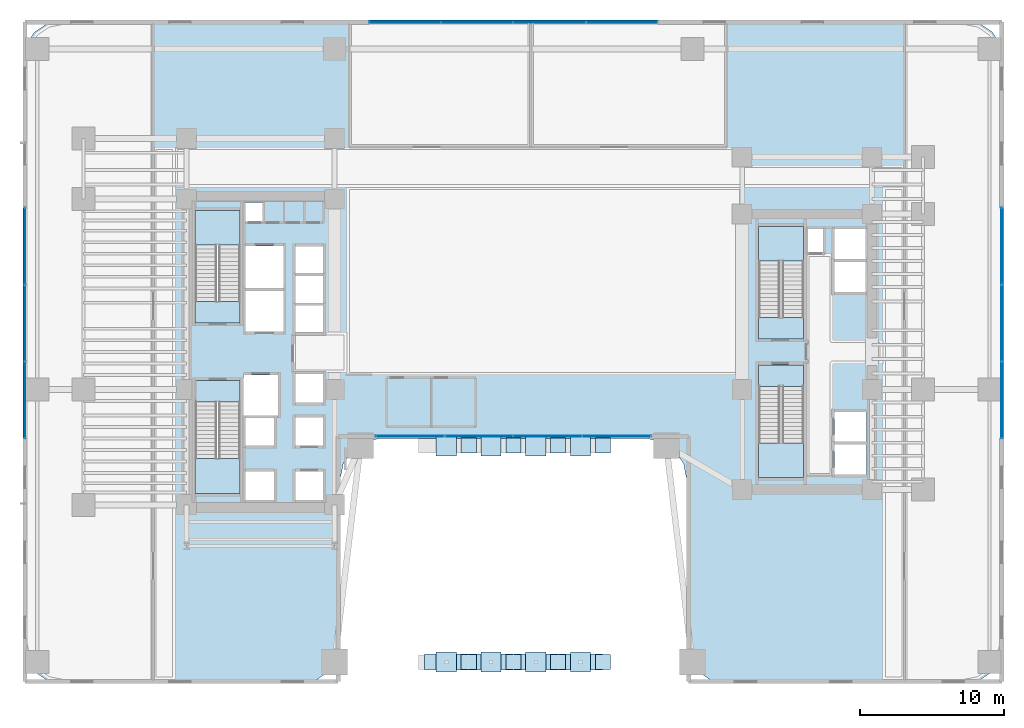
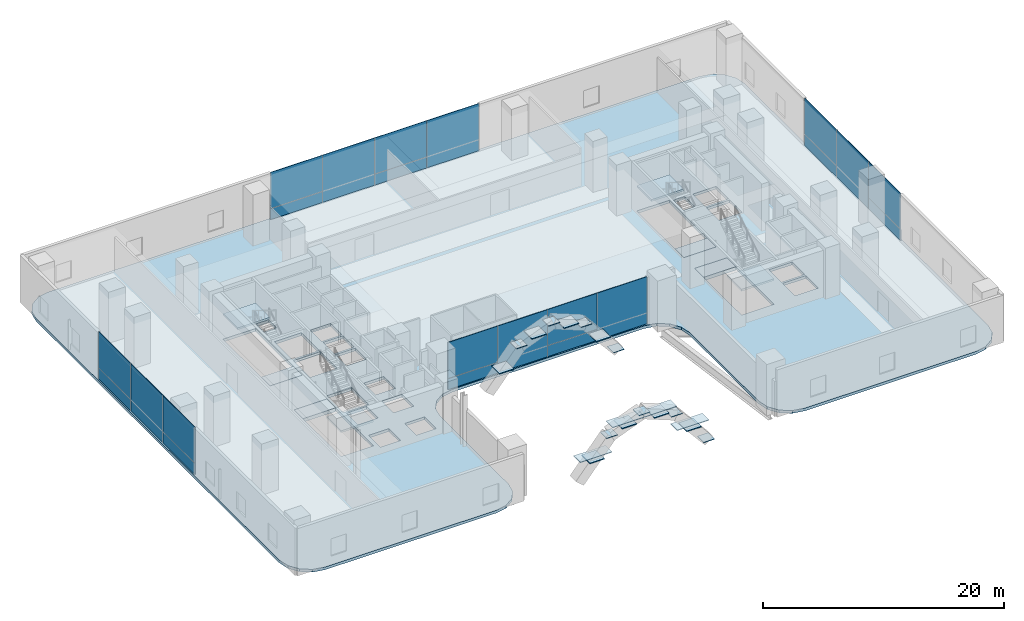
# One storey, part 25 of 39: 42 plates, 9 slabs, 8 elements without a shape of their own.
"""IFC4 building model written with IfcOpenShell, lengths in metres."""

from ifc_helpers import new_model, si_unit, direction, frame, origin, origin_2d, place, context, subcontext, project, spatial, polyline, rectangle, outline, extrude, source, transform, mapped, material, layer, layer_set, type_object, element, aggregate, save


model = new_model("IFC4")

# Units and contexts
model_context = context("Model", 3, precision=1e-05, world=origin(), true_north=direction((0.0, 1.0)))
body_context = subcontext(model_context, "Body", "Model", "MODEL_VIEW")
ifc_project = project(units=[si_unit("LENGTHUNIT", "METRE"), si_unit("AREAUNIT", "SQUARE_METRE"), si_unit("VOLUMEUNIT", "CUBIC_METRE"), si_unit("PLANEANGLEUNIT", "RADIAN"), si_unit("MASSUNIT", "GRAM", prefix="KILO")], contexts=[model_context])

# Site, building, storey
site_placement = place(None, origin())
site = spatial("IfcSite", under=ifc_project, at=site_placement, CompositionType="ELEMENT")
building_placement = place(site_placement, origin())
building = spatial("IfcBuilding", under=site, at=building_placement, Name="Valdorenza Pilgrim Sanctuary Tower", CompositionType="ELEMENT")
storey_placement = place(building_placement, frame((0.0, 0.0, 15.60009765625)))
storey = spatial("IfcBuildingStorey", under=building, at=storey_placement, Name="L03", CompositionType="ELEMENT", Elevation=15.60009765625)

# Slab
ifc_material_1 = material(Name="Concrete C40/50", Category="concrete")
ifc_layer_1 = layer(ifc_material_1, 0.280029296875, Name="Concrete C40/50")
ifc_layer_set_1 = layer_set([ifc_layer_1], Name="Concrete C40/50")
slab_type_1 = type_object("IfcSlabType", Name="SLAB-POD-280", PredefinedType="FLOOR", material=ifc_layer_set_1)
slab_1_placement = place(storey_placement, frame((0.0, 0.0, -0.280029296875)))
element("IfcSlab", 1, at=slab_1_placement, inside=storey, type_object=slab_type_1, Name="L03 Structural Floor Slab 1", PredefinedType="FLOOR", context=body_context, shape_type="SweptSolid", body=[
    extrude(outline(polyline([(-34.0, 20.199951171875), (-33.786865234375, 21.271484375), (-33.179931640625, 22.179931640625), (-32.271484375, 22.786865234375), (-31.199951171875, 23.0), (31.199951171875, 23.0), (32.271484375, 22.786865234375), (33.179931640625, 22.179931640625), (33.786865234375, 21.271484375), (34.0, 20.199951171875), (34.0, -20.199951171875), (33.786865234375, -21.271484375), (33.179931640625, -22.179931640625), (32.271484375, -22.786865234375), (31.199951171875, -23.0), (14.800048828125, -23.0), (13.728515625, -22.786865234375), (12.820068359375, -22.179931640625), (12.213134765625, -21.271484375), (12.0, -20.199951171875), (12.0, -8.800048828125), (11.786865234375, -7.728515625), (11.179931640625, -6.820068359375), (10.271484375, -6.213134765625), (9.199951171875, -6.0), (-9.199951171875, -6.0), (-10.271484375, -6.213134765625), (-11.179931640625, -6.820068359375), (-11.786865234375, -7.728515625), (-12.0, -8.800048828125), (-12.0, -20.199951171875), (-12.213134765625, -21.271484375), (-12.820068359375, -22.179931640625), (-13.728515625, -22.786865234375), (-14.800048828125, -23.0), (-31.199951171875, -23.0), (-32.271484375, -22.786865234375), (-33.179931640625, -22.179931640625), (-33.786865234375, -21.271484375), (-34.0, -20.199951171875), (-34.0, 20.199951171875)]), holes=[polyline([(-16.60009765625, -10.25), (-16.60009765625, -8.300048828125), (-18.550048828125, -8.300048828125), (-18.550048828125, -10.25), (-16.60009765625, -10.25)]), polyline([(-22.050048828125, -9.800048828125), (-18.93994140625, -9.800048828125), (-18.93994140625, -3.485107421875), (-18.93994140625, -2.0), (-22.050048828125, -2.0), (-22.050048828125, -3.485107421875), (-22.050048828125, -9.800048828125)]), polyline([(-18.550048828125, -6.5), (-16.60009765625, -6.5), (-16.60009765625, -4.60009765625), (-18.550048828125, -4.60009765625), (-18.550048828125, -6.5)]), polyline([(-13.179931640625, -6.5), (-13.179931640625, -4.550048828125), (-15.10009765625, -4.550048828125), (-15.10009765625, -6.5), (-13.179931640625, -6.5)]), polyline([(-18.719970703125, -4.39990234375), (-16.300048828125, -4.39990234375), (-16.300048828125, -1.60009765625), (-18.719970703125, -1.60009765625), (-18.719970703125, -4.39990234375)]), polyline([(-13.179931640625, -3.5), (-13.179931640625, -1.550048828125), (-15.10009765625, -1.550048828125), (-15.10009765625, -3.5), (-13.179931640625, -3.5)]), polyline([(-22.050048828125, 2.0), (-18.93994140625, 2.0), (-18.93994140625, 3.485107421875), (-18.93994140625, 9.800048828125), (-22.050048828125, 9.800048828125), (-22.050048828125, 3.485107421875), (-22.050048828125, 2.0)]), polyline([(-18.550048828125, 1.39990234375), (-15.949951171875, 1.39990234375), (-15.949951171875, 4.22509765625), (-18.550048828125, 4.22509765625), (-18.550048828125, 1.39990234375)]), polyline([(-15.949951171875, 4.425048828125), (-15.949951171875, 7.35009765625), (-18.550048828125, 7.35009765625), (-18.550048828125, 4.425048828125), (-15.949951171875, 4.425048828125)]), polyline([(-15.10009765625, 5.449951171875), (-13.179931640625, 5.449951171875), (-13.179931640625, 7.300048828125), (-15.10009765625, 7.300048828125), (-15.10009765625, 5.449951171875)]), polyline([(-17.360107421875, 9.030029296875), (-17.360107421875, 10.35009765625), (-18.570068359375, 10.35009765625), (-18.570068359375, 9.030029296875), (-17.360107421875, 9.030029296875)]), polyline([(-15.10009765625, -10.25), (-13.179931640625, -10.25), (-13.179931640625, -8.300048828125), (-15.10009765625, -8.300048828125), (-15.10009765625, -10.25)]), polyline([(22.25, -8.5), (24.47998046875, -8.5), (24.47998046875, -6.425048828125), (22.25, -6.425048828125), (22.25, -8.5)]), polyline([(17.0, -2.385009765625), (17.0, -8.699951171875), (20.110107421875, -8.699951171875), (20.110107421875, -2.385009765625), (20.110107421875, -0.89990234375), (17.0, -0.89990234375), (17.0, -2.385009765625)]), polyline([(22.25, -6.22509765625), (24.47998046875, -6.22509765625), (24.47998046875, -4.14990234375), (22.25, -4.14990234375), (22.25, -6.22509765625)]), polyline([(17.0, 0.89990234375), (20.110107421875, 0.89990234375), (20.110107421875, 2.385009765625), (20.110107421875, 8.699951171875), (17.0, 8.699951171875), (17.0, 2.385009765625), (17.0, 0.89990234375)]), polyline([(-15.10009765625, 1.35009765625), (-13.179931640625, 1.35009765625), (-13.179931640625, 3.199951171875), (-15.10009765625, 3.199951171875), (-15.10009765625, 1.35009765625)]), polyline([(-15.10009765625, 3.39990234375), (-13.179931640625, 3.39990234375), (-13.179931640625, 5.25), (-15.10009765625, 5.25), (-15.10009765625, 3.39990234375)]), polyline([(22.25, 4.14990234375), (24.47998046875, 4.14990234375), (24.47998046875, 6.22509765625), (22.25, 6.22509765625), (22.25, 4.14990234375)]), polyline([(22.25, 6.425048828125), (24.47998046875, 6.425048828125), (24.47998046875, 8.5), (22.25, 8.5), (22.25, 6.425048828125)]), polyline([(20.409912109375, 6.860107421875), (21.489990234375, 6.860107421875), (21.489990234375, 8.52001953125), (20.409912109375, 8.52001953125), (20.409912109375, 6.860107421875)])]), origin(), (0.0, 0.0, 1.0), 0.280029296875),
])

# Stair, slab
stair_type = type_object("IfcStairType", Name="STR-DOG-CORE", PredefinedType="HALF_TURN_STAIR", material=ifc_material_1)
stair_1_placement = place(storey_placement, origin())
stair_1 = element("IfcStair", 2, at=stair_1_placement, inside=storey, type_object=stair_type, Name="L03 ST-A1", PredefinedType="HALF_TURN_STAIR")
ifc_layer_2 = layer(ifc_material_1, 0.199951171875, Name="Concrete C40/50")
ifc_layer_set_2 = layer_set([ifc_layer_2], Name="Concrete C40/50")
slab_type_2 = type_object("IfcSlabType", Name="SLAB-STL-200", PredefinedType="LANDING", material=ifc_layer_set_2)
slab_2_placement = place(storey_placement, frame((0.0, 0.0, 2.39990234375)))
slab_2 = element("IfcSlab", 3, at=slab_2_placement, type_object=slab_type_2, Name="ST-A1 landing 1", PredefinedType="LANDING", context=body_context, shape_type="SweptSolid", body=[
    extrude(outline(polyline([(-18.93994140625, 7.39990234375), (-18.93994140625, 9.800048828125), (-22.050048828125, 9.800048828125), (-22.050048828125, 7.39990234375), (-18.93994140625, 7.39990234375)])), origin(), (0.0, 0.0, 1.0), 0.199951171875),
])
aggregate(stair_1, [slab_2])

stair_2_placement = place(storey_placement, origin())
stair_2 = element("IfcStair", 4, at=stair_2_placement, inside=storey, type_object=stair_type, Name="L03 ST-A2", PredefinedType="HALF_TURN_STAIR")
slab_3_placement = place(storey_placement, frame((0.0, 0.0, 2.39990234375)))
slab_3 = element("IfcSlab", 5, at=slab_3_placement, type_object=slab_type_2, Name="ST-A2 landing 1", PredefinedType="LANDING", context=body_context, shape_type="SweptSolid", body=[
    extrude(outline(polyline([(-22.050048828125, -7.39990234375), (-22.050048828125, -9.800048828125), (-18.93994140625, -9.800048828125), (-18.93994140625, -7.39990234375), (-22.050048828125, -7.39990234375)])), origin(), (0.0, 0.0, 1.0), 0.199951171875),
])
aggregate(stair_2, [slab_3])

stair_3_placement = place(storey_placement, origin())
stair_3 = element("IfcStair", 6, at=stair_3_placement, inside=storey, type_object=stair_type, Name="L03 ST-B1", PredefinedType="HALF_TURN_STAIR")
slab_4_placement = place(storey_placement, frame((0.0, 0.0, 2.39990234375)))
slab_4 = element("IfcSlab", 7, at=slab_4_placement, type_object=slab_type_2, Name="ST-B1 landing 1", PredefinedType="LANDING", context=body_context, shape_type="SweptSolid", body=[
    extrude(outline(polyline([(20.110107421875, 6.300048828125), (20.110107421875, 8.699951171875), (17.0, 8.699951171875), (17.0, 6.300048828125), (20.110107421875, 6.300048828125)])), origin(), (0.0, 0.0, 1.0), 0.199951171875),
])
aggregate(stair_3, [slab_4])

stair_4_placement = place(storey_placement, origin())
stair_4 = element("IfcStair", 8, at=stair_4_placement, inside=storey, type_object=stair_type, Name="L03 ST-B2", PredefinedType="HALF_TURN_STAIR")
slab_5_placement = place(storey_placement, frame((0.0, 0.0, 2.39990234375)))
slab_5 = element("IfcSlab", 9, at=slab_5_placement, type_object=slab_type_2, Name="ST-B2 landing 1", PredefinedType="LANDING", context=body_context, shape_type="SweptSolid", body=[
    extrude(outline(polyline([(17.0, -6.300048828125), (17.0, -8.699951171875), (20.110107421875, -8.699951171875), (20.110107421875, -6.300048828125), (17.0, -6.300048828125)])), origin(), (0.0, 0.0, 1.0), 0.199951171875),
])
aggregate(stair_4, [slab_5])

# Slabs
ifc_material_2 = material(Name="Concrete C50/60", Category="concrete")
ifc_layer_3 = layer(ifc_material_2, 0.39990234375, Name="Concrete C50/60")
ifc_layer_set_3 = layer_set([ifc_layer_3], Name="Concrete C50/60")
slab_type_3 = type_object("IfcSlabType", Name="SLAB-TRF-400", PredefinedType="FLOOR", material=ifc_layer_set_3)
slab_6_placement = place(storey_placement, frame((0.0, 0.0, -0.360107421875)))
element("IfcSlab", 10, at=slab_6_placement, inside=storey, type_object=slab_type_3, Name="L03 ST-A1 Structural Stair Landing Bearing Slab", PredefinedType="FLOOR", context=body_context, shape_type="SweptSolid", body=[
    extrude(outline(polyline([(-22.050048828125, 2.0), (-18.93994140625, 2.0), (-18.93994140625, 3.485107421875), (-22.050048828125, 3.485107421875), (-22.050048828125, 2.0)])), origin(), (0.0, 0.0, 1.0), 0.360107421875),
])
slab_7_placement = place(storey_placement, frame((0.0, 0.0, -0.360107421875)))
element("IfcSlab", 11, at=slab_7_placement, inside=storey, type_object=slab_type_3, Name="L03 ST-A2 Structural Stair Landing Bearing Slab", PredefinedType="FLOOR", context=body_context, shape_type="SweptSolid", body=[
    extrude(outline(polyline([(-22.050048828125, -3.485107421875), (-18.93994140625, -3.485107421875), (-18.93994140625, -2.0), (-22.050048828125, -2.0), (-22.050048828125, -3.485107421875)])), origin(), (0.0, 0.0, 1.0), 0.360107421875),
])
slab_8_placement = place(storey_placement, frame((0.0, 0.0, -0.360107421875)))
element("IfcSlab", 12, at=slab_8_placement, inside=storey, type_object=slab_type_3, Name="L03 ST-B1 Structural Stair Landing Bearing Slab", PredefinedType="FLOOR", context=body_context, shape_type="SweptSolid", body=[
    extrude(outline(polyline([(17.0, 0.89990234375), (20.110107421875, 0.89990234375), (20.110107421875, 2.385009765625), (17.0, 2.385009765625), (17.0, 0.89990234375)])), origin(), (0.0, 0.0, 1.0), 0.360107421875),
])
slab_9_placement = place(storey_placement, frame((0.0, 0.0, -0.360107421875)))
element("IfcSlab", 13, at=slab_9_placement, inside=storey, type_object=slab_type_3, Name="L03 ST-B2 Structural Stair Landing Bearing Slab", PredefinedType="FLOOR", context=body_context, shape_type="SweptSolid", body=[
    extrude(outline(polyline([(17.0, -2.385009765625), (20.110107421875, -2.385009765625), (20.110107421875, -0.89990234375), (17.0, -0.89990234375), (17.0, -2.385009765625)])), origin(), (0.0, 0.0, 1.0), 0.360107421875),
])

# Plates
ifc_material_3 = material(Name="Steel ASTM A572 Grade 42", Category="steel")
ifc_layer_4 = layer(ifc_material_3, 0.06005859375, Name="Steel ASTM A572 Grade 42")
ifc_layer_set_4 = layer_set([ifc_layer_4], Name="Steel ASTM A572 Grade 42")
plate_type_1 = type_object("IfcPlateType", Name="PLT-CAP-60", PredefinedType="SHEET", material=ifc_layer_set_4)
shared_shape_1 = source(origin(), body_context, "Body", "SweptSolid", [
    extrude(rectangle(XDim=1.050048828125, YDim=1.050048828125, at=origin_2d()), origin(), (0.0, 0.0, 1.0), 0.06005859375),
])
for number, where, z_axis, x_axis, name in (
    (14, (-3.10009765625, -21.5, 2.744873046875), (0.0, 0.0, 1.0), (1.0, 0.0, 0.0), "Parabolic Portal Arch Rib SOUTH Seg 3 End Connection Plate 2"),
    (15, (0.0, -21.5, 3.969970703125), (0.0, 0.0, 1.0), (1.0, 0.0, 0.0), "Parabolic Portal Arch Rib SOUTH Seg 4 End Connection Plate 2"),
    (16, (3.10009765625, -21.5, 2.744873046875), (0.0, 0.0, 1.0), (1.0, 0.0, 0.0), "Parabolic Portal Arch Rib SOUTH Seg 5 End Connection Plate 2"),
    (17, (6.199951171875, -21.5, -0.93017578125), (0.0, 0.0, 1.0), (1.0, 0.0, 0.0), "Parabolic Portal Arch Rib SOUTH Seg 6 End Connection Plate 2"),
    (18, (-3.10009765625, -6.5, 2.744873046875), (0.0, 0.0, 1.0), (1.0, 0.0, 0.0), "Parabolic Portal Arch Rib INNER Seg 3 End Connection Plate 2"),
    (19, (0.0, -6.5, 3.969970703125), (0.0, 0.0, 1.0), (1.0, 0.0, 0.0), "Parabolic Portal Arch Rib INNER Seg 4 End Connection Plate 2"),
    (20, (3.10009765625, -6.5, 2.744873046875), (0.0, 0.0, 1.0), (1.0, 0.0, 0.0), "Parabolic Portal Arch Rib INNER Seg 5 End Connection Plate 2"),
    (21, (6.199951171875, -6.5, -0.93017578125), (0.0, 0.0, 1.0), (1.0, 0.0, 0.0), "Parabolic Portal Arch Rib INNER Seg 6 End Connection Plate 2"),
):
    element("IfcPlate", number, at=place(storey_placement, frame(where, z_axis=z_axis, x_axis=x_axis)), inside=storey, type_object=plate_type_1, Name=name, PredefinedType="SHEET", context=body_context, shape_type="MappedRepresentation", body=[
        mapped(shared_shape_1, transform((0.0, 0.0, 0.0), x_axis=(1.0, 0.0, 0.0), y_axis=(0.0, 1.0, 0.0), z_axis=(0.0, 0.0, 1.0), scale=1.0)),
    ])
ifc_layer_5 = layer(ifc_material_3, 0.090087890625, Name="Steel ASTM A572 Grade 42")
ifc_layer_set_5 = layer_set([ifc_layer_5], Name="Steel ASTM A572 Grade 42")
plate_type_2 = type_object("IfcPlateType", Name="PLT-GUS-90", PredefinedType="USERDEFINED", material=ifc_layer_set_5)
shared_shape_2 = source(origin(), body_context, "Body", "SweptSolid", [
    extrude(rectangle(XDim=1.39990234375, YDim=1.39990234375, at=origin_2d()), origin(), (0.0, 0.0, 1.0), 0.090087890625),
])
for number, where, z_axis, x_axis, name in (
    (22, (-4.64990234375, -21.5, 0.892578125), (0.0, 0.0, 1.0), (1.0, 0.0, 0.0), "Truss Node Gusset Assembly AN-01 (MB-ARCH-SOUTH-3)"),
    (23, (-1.550048828125, -21.5, 3.34228515625), (0.0, 0.0, 1.0), (1.0, 0.0, 0.0), "Truss Node Gusset Assembly AN-01 (MB-ARCH-SOUTH-4)"),
    (24, (1.550048828125, -21.5, 3.34228515625), (0.0, 0.0, 1.0), (1.0, 0.0, 0.0), "Truss Node Gusset Assembly AN-01 (MB-ARCH-SOUTH-5)"),
    (25, (4.64990234375, -21.5, 0.892578125), (0.0, 0.0, 1.0), (1.0, 0.0, 0.0), "Truss Node Gusset Assembly AN-01 (MB-ARCH-SOUTH-6)"),
    (26, (-4.64990234375, -6.5, 0.892578125), (0.0, 0.0, 1.0), (1.0, 0.0, 0.0), "Truss Node Gusset Assembly AN-01 (MB-ARCH-INNER-3)"),
    (27, (-1.550048828125, -6.5, 3.34228515625), (0.0, 0.0, 1.0), (1.0, 0.0, 0.0), "Truss Node Gusset Assembly AN-01 (MB-ARCH-INNER-4)"),
    (28, (1.550048828125, -6.5, 3.34228515625), (0.0, 0.0, 1.0), (1.0, 0.0, 0.0), "Truss Node Gusset Assembly AN-01 (MB-ARCH-INNER-5)"),
    (29, (4.64990234375, -6.5, 0.892578125), (0.0, 0.0, 1.0), (1.0, 0.0, 0.0), "Truss Node Gusset Assembly AN-01 (MB-ARCH-INNER-6)"),
):
    element("IfcPlate", number, at=place(storey_placement, frame(where, z_axis=z_axis, x_axis=x_axis)), inside=storey, type_object=plate_type_2, Name=name, ObjectType="GUSSET PLATE", PredefinedType="USERDEFINED", context=body_context, shape_type="MappedRepresentation", body=[
        mapped(shared_shape_2, transform((0.0, 0.0, 0.0), x_axis=(1.0, 0.0, 0.0), y_axis=(0.0, 1.0, 0.0), z_axis=(0.0, 0.0, 1.0), scale=1.0)),
    ])

# Curtain wall, plates
ifc_material_4 = material(Name="Curtain-wall IGU glazing", Category="glass")
curtain_wall_type = type_object("IfcCurtainWallType", Name="CW-SYS-01", PredefinedType="NOTDEFINED", material=ifc_material_4)
curtain_wall_1_placement = place(storey_placement, origin())
curtain_wall_1 = element("IfcCurtainWall", 30, at=curtain_wall_1_placement, inside=storey, type_object=curtain_wall_type, Name="L03 Curtain Wall CW-POD-L03-WW", PredefinedType="NOTDEFINED")
ifc_material_5 = material(Name="Honed travertine limestone", Category="masonry")
ifc_layer_6 = layer(ifc_material_5, 0.050048828125, Name="Honed travertine limestone")
ifc_layer_set_6 = layer_set([ifc_layer_6], Name="Honed travertine limestone")
plate_type_3 = type_object("IfcPlateType", Name="CW-SPN-TRV", PredefinedType="USERDEFINED", material=ifc_layer_set_6)
shared_shape_3 = source(origin(), body_context, "Body", "SweptSolid", [
    extrude(rectangle(XDim=5.313232421875, YDim=0.06005859375, at=origin_2d()), origin(), (0.0, 0.0, 1.0), 1.10009765625),
])
plate_1_placement = place(storey_placement, frame((-33.85009765625, -3.333251953125, 0.009765625), z_axis=(0.0, 0.0, 1.0), x_axis=(0.0, 1.0, 0.0)))
plate_1 = element("IfcPlate", 31, at=plate_1_placement, type_object=plate_type_3, Name="CW-POD-L03-WW Travertine Spandrel 1", ObjectType="SPANDREL", PredefinedType="USERDEFINED", context=body_context, shape_type="MappedRepresentation", body=[
    mapped(shared_shape_3, transform((0.0, 0.0, 0.0), x_axis=(1.0, 0.0, 0.0), y_axis=(0.0, 1.0, 0.0), z_axis=(0.0, 0.0, 1.0), scale=1.0)),
])
plate_2_placement = place(storey_placement, frame((-33.85009765625, 7.333251953125, 0.009765625), z_axis=(0.0, 0.0, 1.0), x_axis=(0.0, 1.0, 0.0)))
plate_2 = element("IfcPlate", 32, at=plate_2_placement, type_object=plate_type_3, Name="CW-POD-L03-WW Travertine Spandrel 3", ObjectType="SPANDREL", PredefinedType="USERDEFINED", context=body_context, shape_type="MappedRepresentation", body=[
    mapped(shared_shape_3, transform((0.0, 0.0, 0.0), x_axis=(1.0, 0.0, 0.0), y_axis=(0.0, 1.0, 0.0), z_axis=(0.0, 0.0, 1.0), scale=1.0)),
])

curtain_wall_2_placement = place(storey_placement, origin())
curtain_wall_2 = element("IfcCurtainWall", 33, at=curtain_wall_2_placement, inside=storey, type_object=curtain_wall_type, Name="L03 Curtain Wall CW-POD-L03-EE", PredefinedType="NOTDEFINED")
plate_3_placement = place(storey_placement, frame((33.85009765625, -3.333251953125, 0.009765625), z_axis=(0.0, 0.0, 1.0), x_axis=(0.0, 1.0, 0.0)))
plate_3 = element("IfcPlate", 34, at=plate_3_placement, type_object=plate_type_3, Name="CW-POD-L03-EE Travertine Spandrel 1", ObjectType="SPANDREL", PredefinedType="USERDEFINED", context=body_context, shape_type="MappedRepresentation", body=[
    mapped(shared_shape_3, transform((0.0, 0.0, 0.0), x_axis=(1.0, 0.0, 0.0), y_axis=(0.0, 1.0, 0.0), z_axis=(0.0, 0.0, 1.0), scale=1.0)),
])
plate_4_placement = place(storey_placement, frame((33.85009765625, 7.333251953125, 0.009765625), z_axis=(0.0, 0.0, 1.0), x_axis=(0.0, 1.0, 0.0)))
plate_4 = element("IfcPlate", 35, at=plate_4_placement, type_object=plate_type_3, Name="CW-POD-L03-EE Travertine Spandrel 3", ObjectType="SPANDREL", PredefinedType="USERDEFINED", context=body_context, shape_type="MappedRepresentation", body=[
    mapped(shared_shape_3, transform((0.0, 0.0, 0.0), x_axis=(1.0, 0.0, 0.0), y_axis=(0.0, 1.0, 0.0), z_axis=(0.0, 0.0, 1.0), scale=1.0)),
])

curtain_wall_3_placement = place(storey_placement, origin())
curtain_wall_3 = element("IfcCurtainWall", 36, at=curtain_wall_3_placement, inside=storey, type_object=curtain_wall_type, Name="L03 Curtain Wall CW-POD-L03-ARCH-BACK", PredefinedType="NOTDEFINED")
shared_shape_4 = source(origin(), body_context, "Body", "SweptSolid", [
    extrude(rectangle(XDim=4.7548828125, YDim=0.06005859375, at=origin_2d()), origin(), (0.0, 0.0, 1.0), 1.10009765625),
])
plate_5_placement = place(storey_placement, frame((-7.16259765625, -5.85009765625, 0.009765625), z_axis=(0.0, 0.0, 1.0), x_axis=(1.0, 0.0, 0.0)))
plate_5 = element("IfcPlate", 37, at=plate_5_placement, type_object=plate_type_3, Name="CW-POD-L03-ARCH-BACK Travertine Spandrel 1", ObjectType="SPANDREL", PredefinedType="USERDEFINED", context=body_context, shape_type="MappedRepresentation", body=[
    mapped(shared_shape_4, transform((0.0, 0.0, 0.0), x_axis=(1.0, 0.0, 0.0), y_axis=(0.0, 1.0, 0.0), z_axis=(0.0, 0.0, 1.0), scale=1.0)),
])
plate_6_placement = place(storey_placement, frame((2.387451171875, -5.85009765625, 0.009765625), z_axis=(0.0, 0.0, 1.0), x_axis=(1.0, 0.0, 0.0)))
plate_6 = element("IfcPlate", 38, at=plate_6_placement, type_object=plate_type_3, Name="CW-POD-L03-ARCH-BACK Travertine Spandrel 3", ObjectType="SPANDREL", PredefinedType="USERDEFINED", context=body_context, shape_type="MappedRepresentation", body=[
    mapped(shared_shape_4, transform((0.0, 0.0, 0.0), x_axis=(1.0, 0.0, 0.0), y_axis=(0.0, 1.0, 0.0), z_axis=(0.0, 0.0, 1.0), scale=1.0)),
])

curtain_wall_4_placement = place(storey_placement, origin())
curtain_wall_4 = element("IfcCurtainWall", 39, at=curtain_wall_4_placement, inside=storey, type_object=curtain_wall_type, Name="L03 Curtain Wall CW-POD-L03-NN", PredefinedType="NOTDEFINED")
shared_shape_5 = source(origin(), body_context, "Body", "SweptSolid", [
    extrude(rectangle(XDim=4.97998046875, YDim=0.06005859375, at=origin_2d()), origin(), (0.0, 0.0, 1.0), 1.10009765625),
])
plate_7_placement = place(storey_placement, frame((-7.5, 22.85009765625, 0.009765625), z_axis=(0.0, 0.0, 1.0), x_axis=(1.0, 0.0, 0.0)))
plate_7 = element("IfcPlate", 40, at=plate_7_placement, type_object=plate_type_3, Name="CW-POD-L03-NN Travertine Spandrel 1", ObjectType="SPANDREL", PredefinedType="USERDEFINED", context=body_context, shape_type="MappedRepresentation", body=[
    mapped(shared_shape_5, transform((0.0, 0.0, 0.0), x_axis=(1.0, 0.0, 0.0), y_axis=(0.0, 1.0, 0.0), z_axis=(0.0, 0.0, 1.0), scale=1.0)),
])
plate_8_placement = place(storey_placement, frame((2.5, 22.85009765625, 0.009765625), z_axis=(0.0, 0.0, 1.0), x_axis=(1.0, 0.0, 0.0)))
plate_8 = element("IfcPlate", 41, at=plate_8_placement, type_object=plate_type_3, Name="CW-POD-L03-NN Travertine Spandrel 3", ObjectType="SPANDREL", PredefinedType="USERDEFINED", context=body_context, shape_type="MappedRepresentation", body=[
    mapped(shared_shape_5, transform((0.0, 0.0, 0.0), x_axis=(1.0, 0.0, 0.0), y_axis=(0.0, 1.0, 0.0), z_axis=(0.0, 0.0, 1.0), scale=1.0)),
])

# Plate
ifc_material_6 = material(Name="Ceramic-fritted low-E IGU glazing", Category="glass")
ifc_layer_7 = layer(ifc_material_6, 0.035888671875, Name="Ceramic-fritted low-E IGU glazing")
ifc_layer_set_7 = layer_set([ifc_layer_7], Name="Ceramic-fritted low-E IGU glazing")
plate_type_4 = type_object("IfcPlateType", Name="CW-GLZ-IGU", PredefinedType="USERDEFINED", material=ifc_layer_set_7)
shared_shape_6 = source(origin(), body_context, "Body", "SweptSolid", [
    extrude(rectangle(XDim=4.7548828125, YDim=0.050048828125, at=origin_2d()), origin(), (0.0, 0.0, 1.0), 3.659912109375),
])
plate_9_placement = place(storey_placement, frame((-7.16259765625, -5.85009765625, 1.1298828125), z_axis=(0.0, 0.0, 1.0), x_axis=(1.0, 0.0, 0.0)))
plate_9 = element("IfcPlate", 42, at=plate_9_placement, type_object=plate_type_4, Name="CW-POD-L03-ARCH-BACK Facade Panel 1", ObjectType="GLAZING", PredefinedType="USERDEFINED", context=body_context, shape_type="MappedRepresentation", body=[
    mapped(shared_shape_6, transform((0.0, 0.0, 0.0), x_axis=(1.0, 0.0, 0.0), y_axis=(0.0, 1.0, 0.0), z_axis=(0.0, 0.0, 1.0), scale=1.0)),
])

plate_10_placement = place(storey_placement, frame((2.387451171875, -5.85009765625, 1.1298828125), z_axis=(0.0, 0.0, 1.0), x_axis=(1.0, 0.0, 0.0)))
plate_10 = element("IfcPlate", 43, at=plate_10_placement, type_object=plate_type_4, Name="CW-POD-L03-ARCH-BACK Facade Panel 3", ObjectType="GLAZING", PredefinedType="USERDEFINED", context=body_context, shape_type="MappedRepresentation", body=[
    mapped(shared_shape_6, transform((0.0, 0.0, 0.0), x_axis=(1.0, 0.0, 0.0), y_axis=(0.0, 1.0, 0.0), z_axis=(0.0, 0.0, 1.0), scale=1.0)),
])

shared_shape_7 = source(origin(), body_context, "Body", "SweptSolid", [
    extrude(rectangle(XDim=4.7548828125, YDim=0.050048828125, at=origin_2d()), origin(), (0.0, 0.0, 1.0), 4.780029296875),
])
plate_11_placement = place(storey_placement, frame((-2.387451171875, -5.85009765625, 0.009765625), z_axis=(0.0, 0.0, 1.0), x_axis=(1.0, 0.0, 0.0)))
plate_11 = element("IfcPlate", 44, at=plate_11_placement, type_object=plate_type_4, Name="CW-POD-L03-ARCH-BACK Full-Height Facade Panel 2", ObjectType="GLAZING", PredefinedType="USERDEFINED", context=body_context, shape_type="MappedRepresentation", body=[
    mapped(shared_shape_7, transform((0.0, 0.0, 0.0), x_axis=(1.0, 0.0, 0.0), y_axis=(0.0, 1.0, 0.0), z_axis=(0.0, 0.0, 1.0), scale=1.0)),
])

plate_12_placement = place(storey_placement, frame((7.16259765625, -5.85009765625, 0.009765625), z_axis=(0.0, 0.0, 1.0), x_axis=(1.0, 0.0, 0.0)))
plate_12 = element("IfcPlate", 45, at=plate_12_placement, type_object=plate_type_4, Name="CW-POD-L03-ARCH-BACK Full-Height Facade Panel 4", ObjectType="GLAZING", PredefinedType="USERDEFINED", context=body_context, shape_type="MappedRepresentation", body=[
    mapped(shared_shape_7, transform((0.0, 0.0, 0.0), x_axis=(1.0, 0.0, 0.0), y_axis=(0.0, 1.0, 0.0), z_axis=(0.0, 0.0, 1.0), scale=1.0)),
])

aggregate(curtain_wall_3, [plate_5, plate_9, plate_11, plate_6, plate_10, plate_12])

shared_shape_8 = source(origin(), body_context, "Body", "SweptSolid", [
    extrude(rectangle(XDim=5.313232421875, YDim=0.050048828125, at=origin_2d()), origin(), (0.0, 0.0, 1.0), 3.659912109375),
])
plate_13_placement = place(storey_placement, frame((-33.85009765625, -3.333251953125, 1.1298828125), z_axis=(0.0, 0.0, 1.0), x_axis=(0.0, 1.0, 0.0)))
plate_13 = element("IfcPlate", 46, at=plate_13_placement, type_object=plate_type_4, Name="CW-POD-L03-WW Facade Panel 1", ObjectType="GLAZING", PredefinedType="USERDEFINED", context=body_context, shape_type="MappedRepresentation", body=[
    mapped(shared_shape_8, transform((0.0, 0.0, 0.0), x_axis=(1.0, 0.0, 0.0), y_axis=(0.0, 1.0, 0.0), z_axis=(0.0, 0.0, 1.0), scale=1.0)),
])

plate_14_placement = place(storey_placement, frame((-33.85009765625, 7.333251953125, 1.1298828125), z_axis=(0.0, 0.0, 1.0), x_axis=(0.0, 1.0, 0.0)))
plate_14 = element("IfcPlate", 47, at=plate_14_placement, type_object=plate_type_4, Name="CW-POD-L03-WW Facade Panel 3", ObjectType="GLAZING", PredefinedType="USERDEFINED", context=body_context, shape_type="MappedRepresentation", body=[
    mapped(shared_shape_8, transform((0.0, 0.0, 0.0), x_axis=(1.0, 0.0, 0.0), y_axis=(0.0, 1.0, 0.0), z_axis=(0.0, 0.0, 1.0), scale=1.0)),
])

plate_15_placement = place(storey_placement, frame((33.85009765625, -3.333251953125, 1.1298828125), z_axis=(0.0, 0.0, 1.0), x_axis=(0.0, 1.0, 0.0)))
plate_15 = element("IfcPlate", 48, at=plate_15_placement, type_object=plate_type_4, Name="CW-POD-L03-EE Facade Panel 1", ObjectType="GLAZING", PredefinedType="USERDEFINED", context=body_context, shape_type="MappedRepresentation", body=[
    mapped(shared_shape_8, transform((0.0, 0.0, 0.0), x_axis=(1.0, 0.0, 0.0), y_axis=(0.0, 1.0, 0.0), z_axis=(0.0, 0.0, 1.0), scale=1.0)),
])

plate_16_placement = place(storey_placement, frame((33.85009765625, 7.333251953125, 1.1298828125), z_axis=(0.0, 0.0, 1.0), x_axis=(0.0, 1.0, 0.0)))
plate_16 = element("IfcPlate", 49, at=plate_16_placement, type_object=plate_type_4, Name="CW-POD-L03-EE Facade Panel 3", ObjectType="GLAZING", PredefinedType="USERDEFINED", context=body_context, shape_type="MappedRepresentation", body=[
    mapped(shared_shape_8, transform((0.0, 0.0, 0.0), x_axis=(1.0, 0.0, 0.0), y_axis=(0.0, 1.0, 0.0), z_axis=(0.0, 0.0, 1.0), scale=1.0)),
])

shared_shape_9 = source(origin(), body_context, "Body", "SweptSolid", [
    extrude(rectangle(XDim=5.313232421875, YDim=0.050048828125, at=origin_2d()), origin(), (0.0, 0.0, 1.0), 4.780029296875),
])
plate_17_placement = place(storey_placement, frame((-33.85009765625, 2.0, 0.009765625), z_axis=(0.0, 0.0, 1.0), x_axis=(0.0, 1.0, 0.0)))
plate_17 = element("IfcPlate", 50, at=plate_17_placement, type_object=plate_type_4, Name="CW-POD-L03-WW Full-Height Facade Panel 2", ObjectType="GLAZING", PredefinedType="USERDEFINED", context=body_context, shape_type="MappedRepresentation", body=[
    mapped(shared_shape_9, transform((0.0, 0.0, 0.0), x_axis=(1.0, 0.0, 0.0), y_axis=(0.0, 1.0, 0.0), z_axis=(0.0, 0.0, 1.0), scale=1.0)),
])

aggregate(curtain_wall_1, [plate_1, plate_13, plate_17, plate_2, plate_14])

plate_18_placement = place(storey_placement, frame((33.85009765625, 2.0, 0.009765625), z_axis=(0.0, 0.0, 1.0), x_axis=(0.0, 1.0, 0.0)))
plate_18 = element("IfcPlate", 51, at=plate_18_placement, type_object=plate_type_4, Name="CW-POD-L03-EE Full-Height Facade Panel 2", ObjectType="GLAZING", PredefinedType="USERDEFINED", context=body_context, shape_type="MappedRepresentation", body=[
    mapped(shared_shape_9, transform((0.0, 0.0, 0.0), x_axis=(1.0, 0.0, 0.0), y_axis=(0.0, 1.0, 0.0), z_axis=(0.0, 0.0, 1.0), scale=1.0)),
])

aggregate(curtain_wall_2, [plate_3, plate_15, plate_18, plate_4, plate_16])

shared_shape_10 = source(origin(), body_context, "Body", "SweptSolid", [
    extrude(rectangle(XDim=4.97998046875, YDim=0.050048828125, at=origin_2d()), origin(), (0.0, 0.0, 1.0), 3.659912109375),
])
plate_19_placement = place(storey_placement, frame((-7.5, 22.85009765625, 1.1298828125), z_axis=(0.0, 0.0, 1.0), x_axis=(1.0, 0.0, 0.0)))
plate_19 = element("IfcPlate", 52, at=plate_19_placement, type_object=plate_type_4, Name="CW-POD-L03-NN Facade Panel 1", ObjectType="GLAZING", PredefinedType="USERDEFINED", context=body_context, shape_type="MappedRepresentation", body=[
    mapped(shared_shape_10, transform((0.0, 0.0, 0.0), x_axis=(1.0, 0.0, 0.0), y_axis=(0.0, 1.0, 0.0), z_axis=(0.0, 0.0, 1.0), scale=1.0)),
])

plate_20_placement = place(storey_placement, frame((2.5, 22.85009765625, 1.1298828125), z_axis=(0.0, 0.0, 1.0), x_axis=(1.0, 0.0, 0.0)))
plate_20 = element("IfcPlate", 53, at=plate_20_placement, type_object=plate_type_4, Name="CW-POD-L03-NN Facade Panel 3", ObjectType="GLAZING", PredefinedType="USERDEFINED", context=body_context, shape_type="MappedRepresentation", body=[
    mapped(shared_shape_10, transform((0.0, 0.0, 0.0), x_axis=(1.0, 0.0, 0.0), y_axis=(0.0, 1.0, 0.0), z_axis=(0.0, 0.0, 1.0), scale=1.0)),
])

shared_shape_11 = source(origin(), body_context, "Body", "SweptSolid", [
    extrude(rectangle(XDim=4.97998046875, YDim=0.050048828125, at=origin_2d()), origin(), (0.0, 0.0, 1.0), 4.780029296875),
])
plate_21_placement = place(storey_placement, frame((-2.5, 22.85009765625, 0.009765625), z_axis=(0.0, 0.0, 1.0), x_axis=(1.0, 0.0, 0.0)))
plate_21 = element("IfcPlate", 54, at=plate_21_placement, type_object=plate_type_4, Name="CW-POD-L03-NN Full-Height Facade Panel 2", ObjectType="GLAZING", PredefinedType="USERDEFINED", context=body_context, shape_type="MappedRepresentation", body=[
    mapped(shared_shape_11, transform((0.0, 0.0, 0.0), x_axis=(1.0, 0.0, 0.0), y_axis=(0.0, 1.0, 0.0), z_axis=(0.0, 0.0, 1.0), scale=1.0)),
])

plate_22_placement = place(storey_placement, frame((7.5, 22.85009765625, 0.009765625), z_axis=(0.0, 0.0, 1.0), x_axis=(1.0, 0.0, 0.0)))
plate_22 = element("IfcPlate", 55, at=plate_22_placement, type_object=plate_type_4, Name="CW-POD-L03-NN Full-Height Facade Panel 4", ObjectType="GLAZING", PredefinedType="USERDEFINED", context=body_context, shape_type="MappedRepresentation", body=[
    mapped(shared_shape_11, transform((0.0, 0.0, 0.0), x_axis=(1.0, 0.0, 0.0), y_axis=(0.0, 1.0, 0.0), z_axis=(0.0, 0.0, 1.0), scale=1.0)),
])

aggregate(curtain_wall_4, [plate_7, plate_19, plate_21, plate_8, plate_20, plate_22])

# Plates
ifc_layer_8 = layer(ifc_material_5, 0.06494140625, Name="Honed travertine limestone")
ifc_layer_set_8 = layer_set([ifc_layer_8], Name="Honed travertine limestone")
plate_type_5 = type_object("IfcPlateType", Name="STN-ARCH-PNL", PredefinedType="USERDEFINED", material=ifc_layer_set_8)
shared_shape_12 = source(origin(), body_context, "Body", "SweptSolid", [
    extrude(rectangle(XDim=3.050048828125, YDim=1.10009765625, at=origin_2d()), origin(), (0.0, 0.0, 1.0), 0.06494140625),
])
for number, where, z_axis, x_axis, name in (
    (56, (-4.64990234375, -21.5, 1.211181640625), (0.0, 0.0, 1.0), (1.0, 0.0, 0.0), "Portal Arch Honed Travertine Soffit Panel 3"),
    (57, (-1.550048828125, -21.5, 3.6611328125), (0.0, 0.0, 1.0), (1.0, 0.0, 0.0), "Portal Arch Honed Travertine Soffit Panel 4"),
    (58, (1.550048828125, -21.5, 3.6611328125), (0.0, 0.0, 1.0), (1.0, 0.0, 0.0), "Portal Arch Honed Travertine Soffit Panel 5"),
    (59, (4.64990234375, -21.5, 1.211181640625), (0.0, 0.0, 1.0), (1.0, 0.0, 0.0), "Portal Arch Honed Travertine Soffit Panel 6"),
):
    element("IfcPlate", number, at=place(storey_placement, frame(where, z_axis=z_axis, x_axis=x_axis)), inside=storey, type_object=plate_type_5, Name=name, ObjectType="CLADDING", PredefinedType="USERDEFINED", context=body_context, shape_type="MappedRepresentation", body=[
        mapped(shared_shape_12, transform((0.0, 0.0, 0.0), x_axis=(1.0, 0.0, 0.0), y_axis=(0.0, 1.0, 0.0), z_axis=(0.0, 0.0, 1.0), scale=1.0)),
    ])

save(model, "model.ifc")
